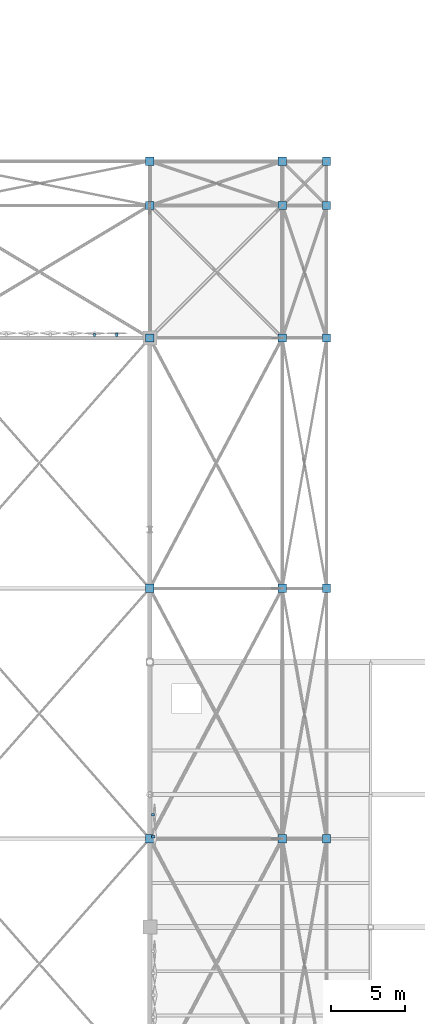
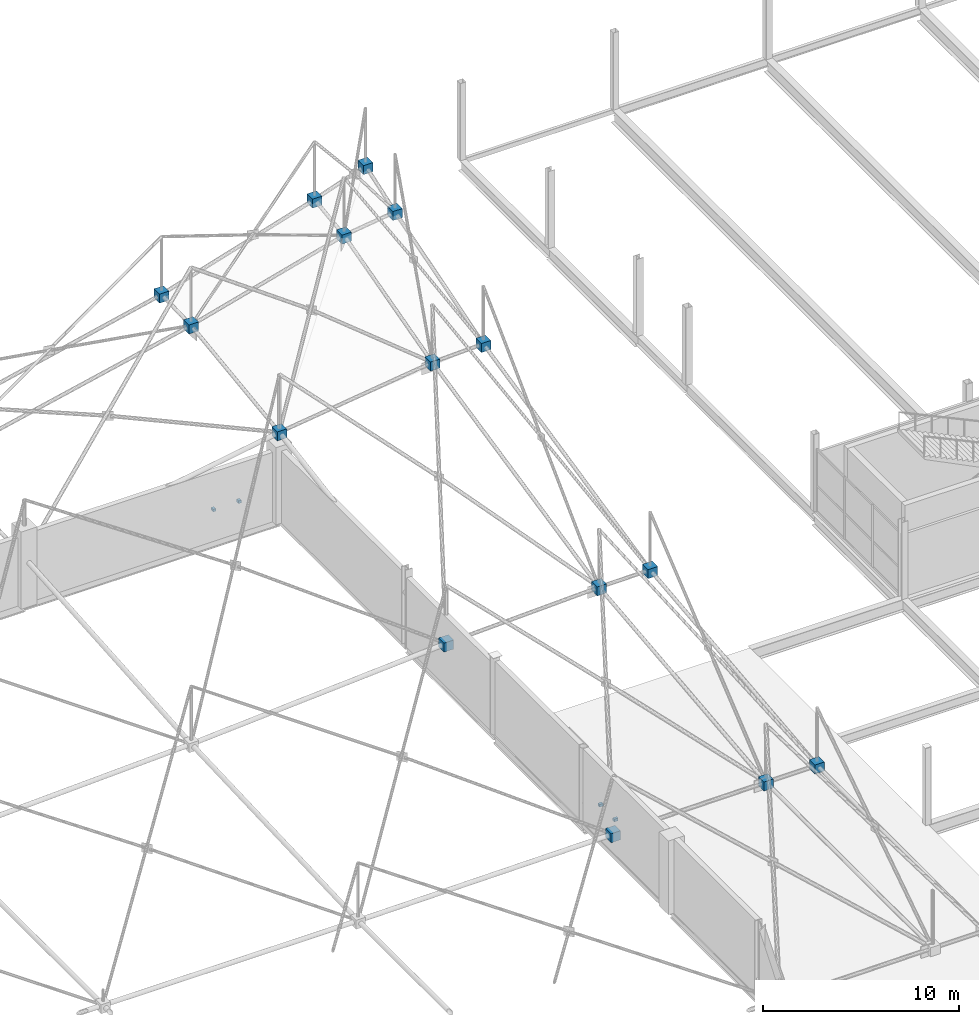
# One storey, part 214 of 224: 19 discrete accessories.
"""IFC4 building model written with IfcOpenShell, lengths in metres."""

import ifcopenshell
import ifcopenshell.guid

model = None  # the IFC model being written
_history = None  # IfcOwnerHistory: only IFC2X3 demands one
_inside = {}  # id of a spatial element -> (the spatial element, [elements in it])
_under = {}  # id of a project, library or spatial element -> (it, [spatial elements below it])
_declared = {}  # id of a project -> (the project, [libraries it declares])
_typed = {}  # id of a type object -> (the type object, [elements of that type])
_made_of = {}  # id of a material, layer set ... -> (it, [elements and type objects made of it])


def new_model(schema):
    """Start an empty IFC model of exactly this schema.

    Asked for "IFC4X3", IfcOpenShell would pick the latest addendum, in which some entities
    have other attributes; the version numbers below select the first issue.
    IFC2X3 requires an IfcOwnerHistory on every rooted entity: one is made here for all.
    """
    global model, _history
    if schema == "IFC4X3":
        model = ifcopenshell.file(schema_version=(4, 3, 0, 0))
    else:
        model = ifcopenshell.file(schema=schema)
    _inside.clear()
    _under.clear()
    _declared.clear()
    _typed.clear()
    _made_of.clear()
    _history = None
    if model.schema == "IFC2X3":
        org = make("IfcOrganization", Name="unknown")
        user = make(
            "IfcPersonAndOrganization",
            ThePerson=make("IfcPerson", FamilyName="unknown"),
            TheOrganization=org,
        )
        app = make(
            "IfcApplication",
            ApplicationDeveloper=org,
            Version="unknown",
            ApplicationFullName="unknown",
            ApplicationIdentifier="unknown",
        )
        _history = make(
            "IfcOwnerHistory",
            OwningUser=user,
            OwningApplication=app,
            ChangeAction="ADDED",
            CreationDate=0,
        )
    return model


def make(cls, **values):
    """One entity of the class cls with the attributes given. An attribute that is None is left unset."""
    return model.create_entity(
        cls, **{name: value for name, value in values.items() if value is not None}
    )


def rooted(cls, **values):
    """An entity with a GlobalId (a new one), such as an element, a storey or a relation."""
    return make(cls, GlobalId=ifcopenshell.guid.new(), OwnerHistory=_history, **values)


def si_unit(unit_type, name, prefix=None):
    """IfcSIUnit, for example si_unit("LENGTHUNIT", "METRE", prefix="MILLI")."""
    return make("IfcSIUnit", UnitType=unit_type, Prefix=prefix, Name=name)


def assignment(units):
    """IfcUnitAssignment: the units of a project."""
    return None if units is None else make("IfcUnitAssignment", Units=units)


def point(xyz):
    """IfcCartesianPoint."""
    return None if xyz is None else make("IfcCartesianPoint", Coordinates=xyz)


def direction(xyz):
    """IfcDirection."""
    return None if xyz is None else make("IfcDirection", DirectionRatios=xyz)


def frame(location, z_axis=None, x_axis=None):
    """IfcAxis2Placement3D, a coordinate frame: its origin and axes. An axis left out is left unset."""
    return make(
        "IfcAxis2Placement3D",
        Location=point(location),
        Axis=direction(z_axis),
        RefDirection=direction(x_axis),
    )


def frame_2d(location, x_axis=None):
    """IfcAxis2Placement2D, a coordinate frame in the plane: its origin and x axis."""
    return make(
        "IfcAxis2Placement2D", Location=point(location), RefDirection=direction(x_axis)
    )


def origin():
    """The frame at (0, 0, 0) with its axes left unset."""
    return frame((0.0, 0.0, 0.0))


def origin_2d():
    """The frame at (0, 0) in the plane with its x axis left unset."""
    return frame_2d((0.0, 0.0))


def place(relative_to, where):
    """IfcLocalPlacement: puts the frame where relative to a parent placement (None: the world)."""
    return make(
        "IfcLocalPlacement", PlacementRelTo=relative_to, RelativePlacement=where
    )


def context(
    kind, dimensions, precision=None, world=None, true_north=None, identifier=None
):
    """IfcGeometricRepresentationContext, for example the 3D "Model" context."""
    return make(
        "IfcGeometricRepresentationContext",
        ContextIdentifier=identifier,
        ContextType=kind,
        CoordinateSpaceDimension=dimensions,
        Precision=precision,
        WorldCoordinateSystem=world,
        TrueNorth=true_north,
    )


def subcontext(parent, identifier, kind, view, scale=None):
    """IfcGeometricRepresentationSubContext, for example "Body" below "Model"."""
    return make(
        "IfcGeometricRepresentationSubContext",
        ContextIdentifier=identifier,
        ContextType=kind,
        ParentContext=parent,
        TargetScale=scale,
        TargetView=view,
    )


def project(units=None, contexts=None):
    """IfcProject with its units and contexts."""
    return rooted(
        "IfcProject",
        Name="project",
        RepresentationContexts=contexts,
        UnitsInContext=assignment(units),
    )


def spatial(cls, under=None, at=None, **own):
    """A site, building, storey or space (cls), placed at a placement, below another one or the project."""
    s = rooted(cls, ObjectPlacement=at, **own)
    if under is not None:
        _under.setdefault(under.id(), (under, []))[1].append(s)
    return s


def profile(cls, at=None, kind="AREA", **sizes):
    """A parametric profile (cls). Its sizes go by their IFC names, for example OverallWidth=200.0."""
    return make(cls, ProfileType=kind, Position=at, **sizes)


def rectangle(**sizes):
    """IfcRectangleProfileDef."""
    return profile("IfcRectangleProfileDef", **sizes)


def extrude(swept, where, along, depth):
    """IfcExtrudedAreaSolid: the profile swept, set in the frame where, extruded along a direction by depth."""
    return make(
        "IfcExtrudedAreaSolid",
        SweptArea=swept,
        Position=where,
        ExtrudedDirection=direction(along),
        Depth=depth,
    )


def shape(context_of_items, identifier, shape_type, items):
    """IfcShapeRepresentation: the items that make up one representation, for example the "Body"."""
    return make(
        "IfcShapeRepresentation",
        ContextOfItems=context_of_items,
        RepresentationIdentifier=identifier,
        RepresentationType=shape_type,
        Items=items,
    )


def material(Name=None, Category=None):
    """IfcMaterial."""
    return make("IfcMaterial", Name=Name, Category=Category)


def made_of(thing, what):
    """Note that an element or type object is made of a material, layer set ...; save() writes the relation."""
    if what is not None:
        _made_of.setdefault(what.id(), (what, []))[1].append(thing)
    return thing


def type_object(cls, material=None, **own):
    """A type object (cls), such as IfcWallType, which elements share."""
    return made_of(rooted(cls, **own), material)


def element(
    cls,
    number,
    at=None,
    inside=None,
    cuts=None,
    type_object=None,
    material=None,
    context=None,
    identifier="Body",
    shape_type=None,
    held_by="IfcProductDefinitionShape",
    body=None,
    shapes=None,
    **own,
):
    """One element of the class cls, such as IfcWall. Its Tag is "e" and its number.

    at: its placement. inside: the storey or other place that contains it. cuts: it is an
    opening in that element (IfcRelVoidsElement). A single representation is given by context,
    identifier, shape_type and body (its items); several are given by shapes. held_by: the class
    of the entity that holds the representations. save() writes the other relations.
    """
    e = rooted(cls, Tag="e%d" % number, ObjectPlacement=at, **own)
    if body is not None:
        shapes = [shape(context, identifier, shape_type, body)]
    if shapes is not None:
        e.Representation = make(held_by, Representations=shapes)
    if inside is not None:
        _inside.setdefault(inside.id(), (inside, []))[1].append(e)
    if cuts is not None:
        rooted(
            "IfcRelVoidsElement", RelatingBuildingElement=cuts, RelatedOpeningElement=e
        )
    if type_object is not None:
        _typed.setdefault(type_object.id(), (type_object, []))[1].append(e)
    return made_of(e, material)


def aggregate(whole, parts):
    """IfcRelAggregates: a whole, such as a stair, and the parts it consists of."""
    return rooted("IfcRelAggregates", RelatingObject=whole, RelatedObjects=parts)


def save(model, path):
    """Write the relations noted so far, then the file.

    IfcRelAggregates (storeys below a building ...), IfcRelContainedInSpatialStructure (elements
    in a storey), IfcRelDefinesByType, IfcRelAssociatesMaterial and IfcRelDeclares: one each for
    every whole, place, type object, material and project.
    """
    for whole, parts in _under.values():
        aggregate(whole, parts)
    for where, things in _inside.values():
        rooted(
            "IfcRelContainedInSpatialStructure",
            RelatedElements=things,
            RelatingStructure=where,
        )
    for kind, things in _typed.values():
        rooted("IfcRelDefinesByType", RelatedObjects=things, RelatingType=kind)
    for what, things in _made_of.values():
        rooted("IfcRelAssociatesMaterial", RelatedObjects=things, RelatingMaterial=what)
    for by, libraries in _declared.values():
        rooted("IfcRelDeclares", RelatingContext=by, RelatedDefinitions=libraries)
    model.write(path)


model = new_model("IFC4")

# Units and contexts
model_context = context("Model", 3, precision=1e-05, world=origin(), true_north=direction((0.0, 1.0)))
body_context = subcontext(model_context, "Body", "Model", "MODEL_VIEW")
ifc_project = project(units=[si_unit("LENGTHUNIT", "METRE"), si_unit("AREAUNIT", "SQUARE_METRE"), si_unit("VOLUMEUNIT", "CUBIC_METRE"), si_unit("PLANEANGLEUNIT", "RADIAN"), si_unit("MASSUNIT", "GRAM", prefix="KILO")], contexts=[model_context])

# Site, building, storey
site_placement = place(None, origin())
site = spatial("IfcSite", under=ifc_project, at=site_placement, CompositionType="ELEMENT")
building_placement = place(site_placement, origin())
building = spatial("IfcBuilding", under=site, at=building_placement, Name="Qamarlyn Nura Convention Centre", CompositionType="ELEMENT")
storey_placement = place(building_placement, frame((0.0, 0.0, 10.800048828125)))
storey = spatial("IfcBuildingStorey", under=building, at=storey_placement, Name="L02", CompositionType="ELEMENT", Elevation=10.800048828125)

# Discrete accessories
ifc_material_1 = material(Name="Pearl-white PVDF steel ASTM A500 Grade C", Category="steel")
discrete_accessory_type_1 = type_object("IfcDiscreteAccessoryType", Name="ACC-SF-NODE", PredefinedType="USERDEFINED", material=ifc_material_1)
for number, where, z_axis, x_axis, name in (
    (1, (120.0, 69.0, 0.6572265625), (0.0, 0.0, 1.0), (1.0, 0.0, 0.0), "Cast space frame node BC-10-5"),
    (2, (120.0, 86.0, 2.20361328125), (0.0, 0.0, 1.0), (1.0, 0.0, 0.0), "Cast space frame node BC-10-6"),
    (3, (120.0, 103.0, 5.0341796875), (0.0, 0.0, 1.0), (1.0, 0.0, 0.0), "Cast space frame node BC-10-7"),
    (4, (120.0, 112.0, 6.2255859375), (0.0, 0.0, 1.0), (1.0, 0.0, 0.0), "Cast space frame node BC-10-8"),
    (5, (120.0, 115.0, 6.327392578125), (0.0, 0.0, 1.0), (1.0, 0.0, 0.0), "Cast space frame node BC-10-9"),
    (6, (129.0, 69.0, 0.7255859375), (0.0, 0.0, 1.0), (1.0, 0.0, 0.0), "Cast space frame node BC-11-5"),
    (7, (129.0, 86.0, 2.552001953125), (0.0, 0.0, 1.0), (1.0, 0.0, 0.0), "Cast space frame node BC-11-6"),
    (8, (129.0, 103.0, 6.2255859375), (0.0, 0.0, 1.0), (1.0, 0.0, 0.0), "Cast space frame node BC-11-7"),
    (9, (129.0, 112.0, 8.670654296875), (0.0, 0.0, 1.0), (1.0, 0.0, 0.0), "Cast space frame node BC-11-8"),
    (10, (129.0, 115.0, 9.0830078125), (0.0, 0.0, 1.0), (1.0, 0.0, 0.0), "Cast space frame node BC-11-9"),
    (11, (132.0, 69.0, 0.730712890625), (0.0, 0.0, 1.0), (1.0, 0.0, 0.0), "Cast space frame node BC-12-5"),
    (12, (132.0, 86.0, 2.57763671875), (0.0, 0.0, 1.0), (1.0, 0.0, 0.0), "Cast space frame node BC-12-6"),
    (13, (132.0, 103.0, 6.327392578125), (0.0, 0.0, 1.0), (1.0, 0.0, 0.0), "Cast space frame node BC-12-7"),
    (14, (132.0, 112.0, 9.0830078125), (0.0, 0.0, 1.0), (1.0, 0.0, 0.0), "Cast space frame node BC-12-8"),
    (15, (132.0, 115.0, 10.119873046875), (0.0, 0.0, 1.0), (1.0, 0.0, 0.0), "Cast space frame node BC-12-9"),
):
    element("IfcDiscreteAccessory", number, at=place(storey_placement, frame(where, z_axis=z_axis, x_axis=x_axis)), inside=storey, type_object=discrete_accessory_type_1, Name=name, ObjectType="SPACE FRAME NODE", PredefinedType="USERDEFINED", context=body_context, shape_type="SweptSolid", body=[
        extrude(rectangle(XDim=0.56005859375, YDim=0.56005859375, at=origin_2d()), origin(), (0.0, 0.0, 1.0), 0.56005859375),
    ])
ifc_material_2 = material(Name="Marine Grade 316 stainless steel", Category="steel")
discrete_accessory_type_2 = type_object("IfcDiscreteAccessoryType", Name="ACC-TILE-BRK", PredefinedType="BRACKET", material=ifc_material_2)
discrete_accessory_1_placement = place(storey_placement, frame((116.25, 103.22119140625, 1.6201171875), z_axis=(0.0, 0.0, 1.0), x_axis=(0.0, 1.0, 0.0)))
element("IfcDiscreteAccessory", 16, at=discrete_accessory_1_placement, inside=storey, type_object=discrete_accessory_type_2, Name="L02 diamond tile pivot bracket 0302", PredefinedType="BRACKET", context=body_context, shape_type="SweptSolid", body=[
    extrude(rectangle(XDim=0.222412109375, YDim=0.159912109375, at=origin_2d()), origin(), (0.0, 0.0, 1.0), 0.159912109375),
])
discrete_accessory_2_placement = place(storey_placement, frame((117.75, 103.217529296875, 1.6201171875), z_axis=(0.0, 0.0, 1.0), x_axis=(0.0, 1.0, 0.0)))
element("IfcDiscreteAccessory", 17, at=discrete_accessory_2_placement, inside=storey, type_object=discrete_accessory_type_2, Name="L02 diamond tile pivot bracket 0303", PredefinedType="BRACKET", context=body_context, shape_type="SweptSolid", body=[
    extrude(rectangle(XDim=0.215087890625, YDim=0.159912109375, at=origin_2d()), origin(), (0.0, 0.0, 1.0), 0.159912109375),
])
discrete_accessory_3_placement = place(storey_placement, frame((120.218994140625, 70.635986328125, 1.6201171875), z_axis=(0.0, 0.0, 1.0), x_axis=(1.0, 0.0, 0.0)))
element("IfcDiscreteAccessory", 18, at=discrete_accessory_3_placement, inside=storey, type_object=discrete_accessory_type_2, Name="L02 diamond tile pivot bracket 0319", PredefinedType="BRACKET", context=body_context, shape_type="SweptSolid", body=[
    extrude(rectangle(XDim=0.218017578125, YDim=0.159912109375, at=origin_2d()), origin(), (0.0, 0.0, 1.0), 0.159912109375),
])
discrete_accessory_4_placement = place(storey_placement, frame((120.224365234375, 69.135986328125, 1.6201171875), z_axis=(0.0, 0.0, 1.0), x_axis=(1.0, 0.0, 0.0)))
element("IfcDiscreteAccessory", 19, at=discrete_accessory_4_placement, inside=storey, type_object=discrete_accessory_type_2, Name="L02 diamond tile pivot bracket 0320", PredefinedType="BRACKET", context=body_context, shape_type="SweptSolid", body=[
    extrude(rectangle(XDim=0.228515625, YDim=0.159912109375, at=origin_2d()), origin(), (0.0, 0.0, 1.0), 0.159912109375),
])

save(model, "model.ifc")
